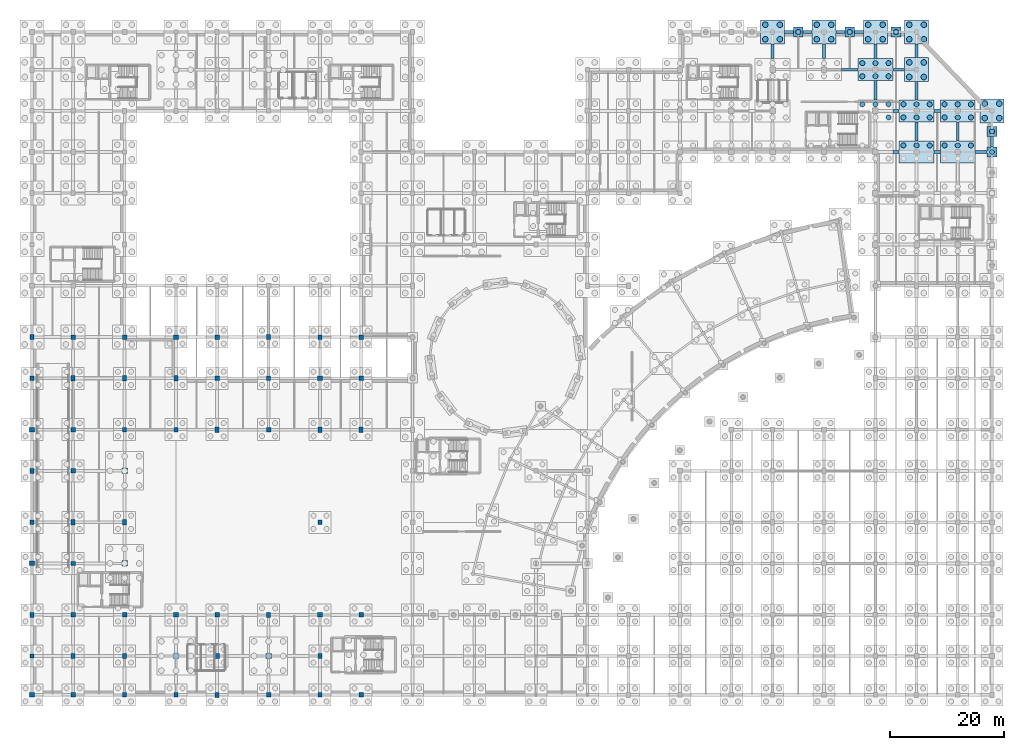
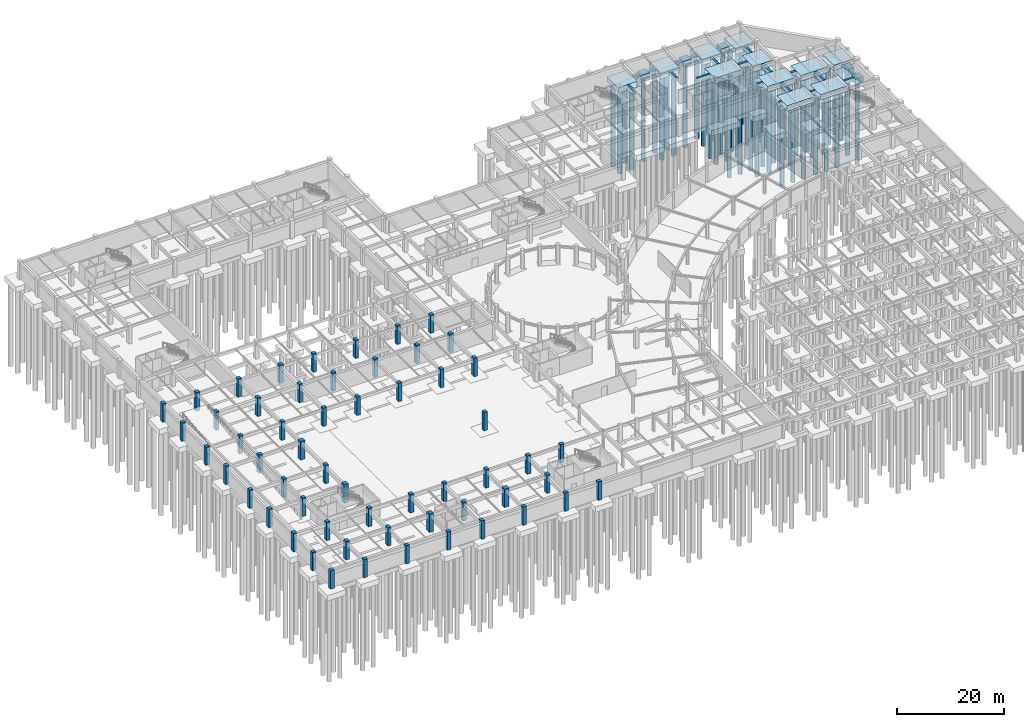
# One storey, part 12 of 42: 57 columns, 57 piles, 36 footings.
"""IFC4 building model written with IfcOpenShell, lengths in metres."""

from ifc_helpers import new_model, si_unit, direction, frame, frame_2d, origin, origin_2d, place, context, subcontext, project, spatial, rectangle, circle, extrude, material, material_profile, profile_set, type_object, element, save


model = new_model("IFC4")

# Units and contexts
model_context = context("Model", 3, precision=1e-05, world=origin(), true_north=direction((0.0, 1.0)))
body_context = subcontext(model_context, "Body", "Model", "MODEL_VIEW")
ifc_project = project(units=[si_unit("LENGTHUNIT", "METRE"), si_unit("AREAUNIT", "SQUARE_METRE"), si_unit("VOLUMEUNIT", "CUBIC_METRE"), si_unit("PLANEANGLEUNIT", "RADIAN"), si_unit("MASSUNIT", "GRAM", prefix="KILO")], contexts=[model_context])

# Site, building, storey
site_placement = place(None, origin())
site = spatial("IfcSite", under=ifc_project, at=site_placement, CompositionType="ELEMENT")
building_placement = place(site_placement, origin())
building = spatial("IfcBuilding", under=site, at=building_placement, Name="Clarverna Civic Hall", CompositionType="ELEMENT")
storey_placement = place(building_placement, frame((0.0, 0.0, -4.199951171875)))
storey = spatial("IfcBuildingStorey", under=building, at=storey_placement, Name="B01", CompositionType="ELEMENT", Elevation=-4.199951171875)

# Footings
ifc_material_1 = material(Name="Concrete C30/37", Category="concrete")
footing_type_1 = type_object("IfcFootingType", Name="FC-03", PredefinedType="PILE_CAP", material=ifc_material_1)
for number, where, z_axis, x_axis, name in (
    (1, (129.60009765625, 116.0, -1.2001953125), (0.0, 0.0, 1.0), (1.0, 0.0, 0.0), "FC-03-062"),
    (2, (138.60009765625, 116.0, -1.2001953125), (0.0, 0.0, 1.0), (1.0, 0.0, 0.0), "FC-03-063"),
    (3, (147.60009765625, 116.0, -1.2001953125), (0.0, 0.0, 1.0), (1.0, 0.0, 0.0), "FC-03-064"),
    (4, (154.800048828125, 109.39990234375, -1.2001953125), (0.0, 0.0, 1.0), (1.0, 0.0, 0.0), "FC-03-066"),
    (5, (154.800048828125, 116.0, -1.2001953125), (0.0, 0.0, 1.0), (1.0, 0.0, 0.0), "FC-03-067"),
    (6, (168.0, 102.199951171875, -1.2001953125), (0.0, 0.0, 1.0), (1.0, 0.0, 0.0), "FC-03-070"),
):
    element("IfcFooting", number, at=place(storey_placement, frame(where, z_axis=z_axis, x_axis=x_axis)), inside=storey, type_object=footing_type_1, Name=name, PredefinedType="PILE_CAP", context=body_context, shape_type="SweptSolid", body=[
        extrude(rectangle(XDim=4.199951171875, YDim=4.199951171875, at=origin_2d()), origin(), (0.0, 0.0, 1.0), 1.199951171875),
    ])
footing_type_2 = type_object("IfcFootingType", Name="FC-04", PredefinedType="PILE_CAP", material=ifc_material_1)
for number, where, z_axis, x_axis, name in (
    (7, (147.60009765625, 109.39990234375, -1.2001953125), (0.0, 0.0, 1.0), (1.0, 0.0, 0.0), "FC-04-015"),
    (8, (154.800048828125, 95.0, -1.2001953125), (0.0, 0.0, 1.0), (1.0, 0.0, 0.0), "FC-04-018"),
    (9, (154.800048828125, 102.199951171875, -1.2001953125), (0.0, 0.0, 1.0), (1.0, 0.0, 0.0), "FC-04-019"),
    (10, (162.0, 95.0, -1.2001953125), (0.0, 0.0, 1.0), (1.0, 0.0, 0.0), "FC-04-022"),
    (11, (162.0, 102.199951171875, -1.2001953125), (0.0, 0.0, 1.0), (1.0, 0.0, 0.0), "FC-04-023"),
):
    element("IfcFooting", number, at=place(storey_placement, frame(where, z_axis=z_axis, x_axis=x_axis)), inside=storey, type_object=footing_type_2, Name=name, PredefinedType="PILE_CAP", context=body_context, shape_type="SweptSolid", body=[
        extrude(rectangle(XDim=6.10009765625, YDim=3.85009765625, at=origin_2d()), origin(), (0.0, 0.0, 1.0), 1.199951171875),
    ])
footing_type_3 = type_object("IfcFootingType", Name="FC-06", PredefinedType="PILE_CAP", material=ifc_material_1)
for number, where, z_axis, x_axis, name in (
    (12, (168.0, 95.0, -1.2001953125), (0.0, 0.0, 1.0), (1.0, 0.0, 0.0), "FC-06-031"),
    (13, (134.10009765625, 116.0, -1.2001953125), (0.0, 0.0, 1.0), (1.0, 0.0, 0.0), "FC-06-034"),
    (14, (143.10009765625, 116.0, -1.2001953125), (0.0, 0.0, 1.0), (1.0, 0.0, 0.0), "FC-06-035"),
    (15, (151.199951171875, 116.0, -1.2001953125), (0.0, 0.0, 1.0), (1.0, 0.0, 0.0), "FC-06-036"),
    (16, (168.0, 98.60009765625, -1.2001953125), (0.0, 0.0, 1.0), (1.0, 0.0, 0.0), "FC-06-040"),
):
    element("IfcFooting", number, at=place(storey_placement, frame(where, z_axis=z_axis, x_axis=x_axis)), inside=storey, type_object=footing_type_3, Name=name, PredefinedType="PILE_CAP", context=body_context, shape_type="SweptSolid", body=[
        extrude(rectangle(XDim=1.699951171875, YDim=1.699951171875, at=origin_2d()), origin(), (0.0, 0.0, 1.0), 1.199951171875),
    ])
footing_type_4 = type_object("IfcFootingType", Name="GB-01", PredefinedType="FOOTING_BEAM", material=ifc_material_1)
footing_1_placement = place(storey_placement, frame((150.64990234375, 95.0, -0.800048828125), z_axis=(0.0, 0.0, 1.0), x_axis=(1.0, 0.0, 0.0)))
element("IfcFooting", 17, at=footing_1_placement, inside=storey, type_object=footing_type_4, Name="GB-01-146", PredefinedType="FOOTING_BEAM", context=body_context, shape_type="SweptSolid", body=[
    extrude(rectangle(XDim=1.10009765625, YDim=0.5, at=frame_2d((0.550048828125, 0.0))), origin(), (0.0, 0.0, 1.0), 0.800048828125),
])
footing_2_placement = place(storey_placement, frame((157.85009765625, 95.0, -0.800048828125), z_axis=(0.0, 0.0, 1.0), x_axis=(1.0, 0.0, 0.0)))
element("IfcFooting", 18, at=footing_2_placement, inside=storey, type_object=footing_type_4, Name="GB-01-147", PredefinedType="FOOTING_BEAM", context=body_context, shape_type="SweptSolid", body=[
    extrude(rectangle(XDim=1.099853515625, YDim=0.5, at=frame_2d((0.5498046875, 0.0))), origin(), (0.0, 0.0, 1.0), 0.800048828125),
])
footing_3_placement = place(storey_placement, frame((165.050048828125, 95.0, -0.800048828125), z_axis=(0.0, 0.0, 1.0), x_axis=(1.0, 0.0, 0.0)))
element("IfcFooting", 19, at=footing_3_placement, inside=storey, type_object=footing_type_4, Name="GB-01-148", PredefinedType="FOOTING_BEAM", context=body_context, shape_type="SweptSolid", body=[
    extrude(rectangle(XDim=2.099853515625, YDim=0.5, at=frame_2d((1.0498046875, 0.0))), origin(), (0.0, 0.0, 1.0), 0.800048828125),
])
footing_4_placement = place(storey_placement, frame((150.64990234375, 102.199951171875, -0.800048828125), z_axis=(0.0, 0.0, 1.0), x_axis=(1.0, 0.0, 0.0)))
element("IfcFooting", 20, at=footing_4_placement, inside=storey, type_object=footing_type_4, Name="GB-01-161", PredefinedType="FOOTING_BEAM", context=body_context, shape_type="SweptSolid", body=[
    extrude(rectangle(XDim=1.10009765625, YDim=0.5, at=frame_2d((0.550048828125, 0.0))), origin(), (0.0, 0.0, 1.0), 0.800048828125),
])
footing_5_placement = place(storey_placement, frame((157.85009765625, 102.199951171875, -0.800048828125), z_axis=(0.0, 0.0, 1.0), x_axis=(1.0, 0.0, 0.0)))
element("IfcFooting", 21, at=footing_5_placement, inside=storey, type_object=footing_type_4, Name="GB-01-162", PredefinedType="FOOTING_BEAM", context=body_context, shape_type="SweptSolid", body=[
    extrude(rectangle(XDim=1.099853515625, YDim=0.5, at=frame_2d((0.5498046875, 0.0))), origin(), (0.0, 0.0, 1.0), 0.800048828125),
])
footing_6_placement = place(storey_placement, frame((141.64990234375, 109.39990234375, -0.800048828125), z_axis=(0.0, 0.0, 1.0), x_axis=(1.0, 0.0, 0.0)))
element("IfcFooting", 22, at=footing_6_placement, inside=storey, type_object=footing_type_4, Name="GB-01-170", PredefinedType="FOOTING_BEAM", context=body_context, shape_type="SweptSolid", body=[
    extrude(rectangle(XDim=2.900146484375, YDim=0.5, at=frame_2d((1.4501953125, 0.0))), origin(), (0.0, 0.0, 1.0), 0.800048828125),
])
footing_7_placement = place(storey_placement, frame((150.64990234375, 109.39990234375, -0.800048828125), z_axis=(0.0, 0.0, 1.0), x_axis=(1.0, 0.0, 0.0)))
element("IfcFooting", 23, at=footing_7_placement, inside=storey, type_object=footing_type_4, Name="GB-01-171", PredefinedType="FOOTING_BEAM", context=body_context, shape_type="SweptSolid", body=[
    extrude(rectangle(XDim=2.050048828125, YDim=0.5, at=frame_2d((1.02490234375, 0.0))), origin(), (0.0, 0.0, 1.0), 0.800048828125),
])
for number, where, z_axis, x_axis, name in (
    (24, (129.60009765625, 111.324951171875, -0.800048828125), (0.0, 0.0, 1.0), (0.0, 1.0, 0.0), "GB-01-296"),
    (25, (138.60009765625, 111.324951171875, -0.800048828125), (0.0, 0.0, 1.0), (0.0, 1.0, 0.0), "GB-01-303"),
):
    element("IfcFooting", number, at=place(storey_placement, frame(where, z_axis=z_axis, x_axis=x_axis)), inside=storey, type_object=footing_type_4, Name=name, PredefinedType="FOOTING_BEAM", context=body_context, shape_type="SweptSolid", body=[
        extrude(rectangle(XDim=2.574951171875, YDim=0.5, at=frame_2d((1.28759765625, 0.0))), origin(), (0.0, 0.0, 1.0), 0.800048828125),
    ])
footing_8_placement = place(storey_placement, frame((147.60009765625, 104.125, -0.800048828125), z_axis=(0.0, 0.0, 1.0), x_axis=(0.0, 1.0, 0.0)))
element("IfcFooting", 26, at=footing_8_placement, inside=storey, type_object=footing_type_4, Name="GB-01-317", PredefinedType="FOOTING_BEAM", context=body_context, shape_type="SweptSolid", body=[
    extrude(rectangle(XDim=3.35009765625, YDim=0.5, at=frame_2d((1.675048828125, 0.0))), origin(), (0.0, 0.0, 1.0), 0.800048828125),
])
footing_9_placement = place(storey_placement, frame((147.60009765625, 111.324951171875, -0.800048828125), z_axis=(0.0, 0.0, 1.0), x_axis=(0.0, 1.0, 0.0)))
element("IfcFooting", 27, at=footing_9_placement, inside=storey, type_object=footing_type_4, Name="GB-01-318", PredefinedType="FOOTING_BEAM", context=body_context, shape_type="SweptSolid", body=[
    extrude(rectangle(XDim=2.574951171875, YDim=0.5, at=frame_2d((1.28759765625, 0.0))), origin(), (0.0, 0.0, 1.0), 0.800048828125),
])
footing_10_placement = place(storey_placement, frame((154.800048828125, 96.925048828125, -0.800048828125), z_axis=(0.0, 0.0, 1.0), x_axis=(0.0, 1.0, 0.0)))
element("IfcFooting", 28, at=footing_10_placement, inside=storey, type_object=footing_type_4, Name="GB-01-331", PredefinedType="FOOTING_BEAM", context=body_context, shape_type="SweptSolid", body=[
    extrude(rectangle(XDim=3.349853515625, YDim=0.5, at=frame_2d((1.6748046875, 0.0))), origin(), (0.0, 0.0, 1.0), 0.800048828125),
])
footing_11_placement = place(storey_placement, frame((154.800048828125, 104.125, -0.800048828125), z_axis=(0.0, 0.0, 1.0), x_axis=(0.0, 1.0, 0.0)))
element("IfcFooting", 29, at=footing_11_placement, inside=storey, type_object=footing_type_4, Name="GB-01-332", PredefinedType="FOOTING_BEAM", context=body_context, shape_type="SweptSolid", body=[
    extrude(rectangle(XDim=3.175048828125, YDim=0.5, at=frame_2d((1.58740234375, 0.0))), origin(), (0.0, 0.0, 1.0), 0.800048828125),
])
footing_12_placement = place(storey_placement, frame((154.800048828125, 111.5, -0.800048828125), z_axis=(0.0, 0.0, 1.0), x_axis=(0.0, 1.0, 0.0)))
element("IfcFooting", 30, at=footing_12_placement, inside=storey, type_object=footing_type_4, Name="GB-01-333", PredefinedType="FOOTING_BEAM", context=body_context, shape_type="SweptSolid", body=[
    extrude(rectangle(XDim=2.39990234375, YDim=0.5, at=frame_2d((1.199951171875, 0.0))), origin(), (0.0, 0.0, 1.0), 0.800048828125),
])
footing_13_placement = place(storey_placement, frame((162.0, 96.925048828125, -0.800048828125), z_axis=(0.0, 0.0, 1.0), x_axis=(0.0, 1.0, 0.0)))
element("IfcFooting", 31, at=footing_13_placement, inside=storey, type_object=footing_type_4, Name="GB-01-346", PredefinedType="FOOTING_BEAM", context=body_context, shape_type="SweptSolid", body=[
    extrude(rectangle(XDim=3.349853515625, YDim=0.5, at=frame_2d((1.6748046875, 0.0))), origin(), (0.0, 0.0, 1.0), 0.800048828125),
])
footing_type_5 = type_object("IfcFootingType", Name="GB-02", PredefinedType="FOOTING_BEAM", material=ifc_material_1)
for number, where, z_axis, x_axis, name in (
    (32, (131.699951171875, 116.0, -0.900146484375), (0.0, 0.0, 1.0), (1.0, 0.0, 0.0), "GB-02-031"),
    (33, (134.949951171875, 116.0, -0.900146484375), (0.0, 0.0, 1.0), (1.0, 0.0, 0.0), "GB-02-032"),
    (34, (140.699951171875, 116.0, -0.900146484375), (0.0, 0.0, 1.0), (1.0, 0.0, 0.0), "GB-02-033"),
    (35, (143.949951171875, 116.0, -0.900146484375), (0.0, 0.0, 1.0), (1.0, 0.0, 0.0), "GB-02-034"),
):
    element("IfcFooting", number, at=place(storey_placement, frame(where, z_axis=z_axis, x_axis=x_axis)), inside=storey, type_object=footing_type_5, Name=name, PredefinedType="FOOTING_BEAM", context=body_context, shape_type="SweptSolid", body=[
        extrude(rectangle(XDim=1.550048828125, YDim=0.60009765625, at=frame_2d((0.77490234375, 0.0))), origin(), (0.0, 0.0, 1.0), 0.900146484375),
    ])
footing_14_placement = place(storey_placement, frame((168.0, 95.85009765625, -0.900146484375), z_axis=(0.0, 0.0, 1.0), x_axis=(0.0, 1.0, 0.0)))
element("IfcFooting", 36, at=footing_14_placement, inside=storey, type_object=footing_type_5, Name="GB-02-064", PredefinedType="FOOTING_BEAM", context=body_context, shape_type="SweptSolid", body=[
    extrude(rectangle(XDim=1.89990234375, YDim=0.60009765625, at=frame_2d((0.949951171875, 0.0))), origin(), (0.0, 0.0, 1.0), 0.900146484375),
])

# Piles
ifc_material_profile_1 = material_profile(ifc_material_1, circle(Radius=0.449951171875, at=origin_2d()), Name="BORED PILE D900")
ifc_profile_set_1 = profile_set([ifc_material_profile_1], Name="Concrete C30/37")
pile_type_1 = type_object("IfcPileType", Name="PL-01", PredefinedType="BORED", material=ifc_profile_set_1)
for number, where, z_axis, x_axis, name in (
    (37, (149.89990234375, 101.050048828125, -1.10009765625), (0.0, 0.0, -1.0), (1.0, 0.0, 0.0), "PL-01-661"),
    (38, (145.300048828125, 103.35009765625, -1.10009765625), (0.0, 0.0, -1.0), (1.0, 0.0, 0.0), "PL-01-662"),
    (39, (147.60009765625, 103.35009765625, -1.10009765625), (0.0, 0.0, -1.0), (1.0, 0.0, 0.0), "PL-01-663"),
    (40, (149.89990234375, 103.35009765625, -1.10009765625), (0.0, 0.0, -1.0), (1.0, 0.0, 0.0), "PL-01-664"),
    (41, (145.300048828125, 108.25, -1.10009765625), (0.0, 0.0, -1.0), (1.0, 0.0, 0.0), "PL-01-665"),
    (42, (147.60009765625, 108.25, -1.10009765625), (0.0, 0.0, -1.0), (1.0, 0.0, 0.0), "PL-01-666"),
    (43, (149.89990234375, 108.25, -1.10009765625), (0.0, 0.0, -1.0), (1.0, 0.0, 0.0), "PL-01-667"),
    (44, (145.300048828125, 110.550048828125, -1.10009765625), (0.0, 0.0, -1.0), (1.0, 0.0, 0.0), "PL-01-668"),
    (45, (147.60009765625, 110.550048828125, -1.10009765625), (0.0, 0.0, -1.0), (1.0, 0.0, 0.0), "PL-01-669"),
    (46, (149.89990234375, 110.550048828125, -1.10009765625), (0.0, 0.0, -1.0), (1.0, 0.0, 0.0), "PL-01-670"),
    (47, (152.5, 96.14990234375, -1.10009765625), (0.0, 0.0, -1.0), (1.0, 0.0, 0.0), "PL-01-722"),
    (48, (154.800048828125, 96.14990234375, -1.10009765625), (0.0, 0.0, -1.0), (1.0, 0.0, 0.0), "PL-01-723"),
    (49, (157.10009765625, 96.14990234375, -1.10009765625), (0.0, 0.0, -1.0), (1.0, 0.0, 0.0), "PL-01-724"),
    (50, (152.5, 101.050048828125, -1.10009765625), (0.0, 0.0, -1.0), (1.0, 0.0, 0.0), "PL-01-725"),
    (51, (154.800048828125, 101.050048828125, -1.10009765625), (0.0, 0.0, -1.0), (1.0, 0.0, 0.0), "PL-01-726"),
    (52, (157.10009765625, 101.050048828125, -1.10009765625), (0.0, 0.0, -1.0), (1.0, 0.0, 0.0), "PL-01-727"),
    (53, (152.5, 103.35009765625, -1.10009765625), (0.0, 0.0, -1.0), (1.0, 0.0, 0.0), "PL-01-728"),
    (54, (154.800048828125, 103.35009765625, -1.10009765625), (0.0, 0.0, -1.0), (1.0, 0.0, 0.0), "PL-01-729"),
    (55, (157.10009765625, 103.35009765625, -1.10009765625), (0.0, 0.0, -1.0), (1.0, 0.0, 0.0), "PL-01-730"),
    (56, (159.699951171875, 96.14990234375, -1.10009765625), (0.0, 0.0, -1.0), (1.0, 0.0, 0.0), "PL-01-782"),
    (57, (162.0, 96.14990234375, -1.10009765625), (0.0, 0.0, -1.0), (1.0, 0.0, 0.0), "PL-01-783"),
    (58, (164.300048828125, 96.14990234375, -1.10009765625), (0.0, 0.0, -1.0), (1.0, 0.0, 0.0), "PL-01-784"),
    (59, (159.699951171875, 101.050048828125, -1.10009765625), (0.0, 0.0, -1.0), (1.0, 0.0, 0.0), "PL-01-785"),
    (60, (162.0, 101.050048828125, -1.10009765625), (0.0, 0.0, -1.0), (1.0, 0.0, 0.0), "PL-01-786"),
    (61, (164.300048828125, 101.050048828125, -1.10009765625), (0.0, 0.0, -1.0), (1.0, 0.0, 0.0), "PL-01-787"),
    (62, (159.699951171875, 103.35009765625, -1.10009765625), (0.0, 0.0, -1.0), (1.0, 0.0, 0.0), "PL-01-788"),
    (63, (162.0, 103.35009765625, -1.10009765625), (0.0, 0.0, -1.0), (1.0, 0.0, 0.0), "PL-01-789"),
    (64, (164.300048828125, 103.35009765625, -1.10009765625), (0.0, 0.0, -1.0), (1.0, 0.0, 0.0), "PL-01-790"),
    (65, (168.0, 95.0, -1.10009765625), (0.0, 0.0, -1.0), (1.0, 0.0, 0.0), "PL-01-829"),
    (66, (134.10009765625, 116.0, -1.10009765625), (0.0, 0.0, -1.0), (1.0, 0.0, 0.0), "PL-01-832"),
    (67, (143.10009765625, 116.0, -1.10009765625), (0.0, 0.0, -1.0), (1.0, 0.0, 0.0), "PL-01-833"),
    (68, (151.199951171875, 116.0, -1.10009765625), (0.0, 0.0, -1.0), (1.0, 0.0, 0.0), "PL-01-834"),
    (69, (168.0, 98.60009765625, -1.10009765625), (0.0, 0.0, -1.0), (1.0, 0.0, 0.0), "PL-01-838"),
):
    element("IfcPile", number, at=place(storey_placement, frame(where, z_axis=z_axis, x_axis=x_axis)), inside=storey, type_object=pile_type_1, Name=name, PredefinedType="BORED", context=body_context, shape_type="SweptSolid", body=[
        extrude(circle(Radius=0.449951171875, at=origin_2d()), origin(), (0.0, 0.0, 1.0), 19.0),
    ])
ifc_material_profile_2 = material_profile(ifc_material_1, circle(Radius=0.5, at=origin_2d()), Name="BORED PILE D1000")
ifc_profile_set_2 = profile_set([ifc_material_profile_2], Name="Concrete C30/37")
pile_type_2 = type_object("IfcPileType", Name="PL-02", PredefinedType="BORED", material=ifc_profile_set_2)
for number, where, z_axis, x_axis, name in (
    (70, (128.324951171875, 114.72509765625, -1.10009765625), (0.0, 0.0, -1.0), (1.0, 0.0, 0.0), "PL-02-299"),
    (71, (130.875, 114.72509765625, -1.10009765625), (0.0, 0.0, -1.0), (1.0, 0.0, 0.0), "PL-02-300"),
    (72, (128.324951171875, 117.27490234375, -1.10009765625), (0.0, 0.0, -1.0), (1.0, 0.0, 0.0), "PL-02-301"),
    (73, (130.875, 117.27490234375, -1.10009765625), (0.0, 0.0, -1.0), (1.0, 0.0, 0.0), "PL-02-302"),
    (74, (137.324951171875, 114.72509765625, -1.10009765625), (0.0, 0.0, -1.0), (1.0, 0.0, 0.0), "PL-02-303"),
    (75, (139.875, 114.72509765625, -1.10009765625), (0.0, 0.0, -1.0), (1.0, 0.0, 0.0), "PL-02-304"),
    (76, (137.324951171875, 117.27490234375, -1.10009765625), (0.0, 0.0, -1.0), (1.0, 0.0, 0.0), "PL-02-305"),
    (77, (139.875, 117.27490234375, -1.10009765625), (0.0, 0.0, -1.0), (1.0, 0.0, 0.0), "PL-02-306"),
    (78, (146.324951171875, 114.72509765625, -1.10009765625), (0.0, 0.0, -1.0), (1.0, 0.0, 0.0), "PL-02-307"),
    (79, (148.875, 114.72509765625, -1.10009765625), (0.0, 0.0, -1.0), (1.0, 0.0, 0.0), "PL-02-308"),
    (80, (146.324951171875, 117.27490234375, -1.10009765625), (0.0, 0.0, -1.0), (1.0, 0.0, 0.0), "PL-02-309"),
    (81, (148.875, 117.27490234375, -1.10009765625), (0.0, 0.0, -1.0), (1.0, 0.0, 0.0), "PL-02-310"),
    (82, (153.52490234375, 108.125, -1.10009765625), (0.0, 0.0, -1.0), (1.0, 0.0, 0.0), "PL-02-315"),
    (83, (156.074951171875, 108.125, -1.10009765625), (0.0, 0.0, -1.0), (1.0, 0.0, 0.0), "PL-02-316"),
    (84, (153.52490234375, 110.675048828125, -1.10009765625), (0.0, 0.0, -1.0), (1.0, 0.0, 0.0), "PL-02-317"),
    (85, (156.074951171875, 110.675048828125, -1.10009765625), (0.0, 0.0, -1.0), (1.0, 0.0, 0.0), "PL-02-318"),
    (86, (153.52490234375, 114.72509765625, -1.10009765625), (0.0, 0.0, -1.0), (1.0, 0.0, 0.0), "PL-02-319"),
    (87, (156.074951171875, 114.72509765625, -1.10009765625), (0.0, 0.0, -1.0), (1.0, 0.0, 0.0), "PL-02-320"),
    (88, (153.52490234375, 117.27490234375, -1.10009765625), (0.0, 0.0, -1.0), (1.0, 0.0, 0.0), "PL-02-321"),
    (89, (156.074951171875, 117.27490234375, -1.10009765625), (0.0, 0.0, -1.0), (1.0, 0.0, 0.0), "PL-02-322"),
    (90, (166.72509765625, 100.925048828125, -1.10009765625), (0.0, 0.0, -1.0), (1.0, 0.0, 0.0), "PL-02-331"),
    (91, (169.27490234375, 100.925048828125, -1.10009765625), (0.0, 0.0, -1.0), (1.0, 0.0, 0.0), "PL-02-332"),
    (92, (166.72509765625, 103.47509765625, -1.10009765625), (0.0, 0.0, -1.0), (1.0, 0.0, 0.0), "PL-02-333"),
    (93, (169.27490234375, 103.47509765625, -1.10009765625), (0.0, 0.0, -1.0), (1.0, 0.0, 0.0), "PL-02-334"),
):
    element("IfcPile", number, at=place(storey_placement, frame(where, z_axis=z_axis, x_axis=x_axis)), inside=storey, type_object=pile_type_2, Name=name, PredefinedType="BORED", context=body_context, shape_type="SweptSolid", body=[
        extrude(circle(Radius=0.5, at=origin_2d()), origin(), (0.0, 0.0, 1.0), 19.0),
    ])

# Columns
ifc_material_2 = material(Name="Concrete C40/50", Category="concrete")
ifc_material_profile_3 = material_profile(ifc_material_2, rectangle(XDim=0.949951171875, YDim=0.949951171875, at=origin_2d()), Name="RC 950x950")
ifc_profile_set_3 = profile_set([ifc_material_profile_3], Name="Concrete C40/50")
column_type_1 = type_object("IfcColumnType", Name="C-RC1", PredefinedType="COLUMN", material=ifc_profile_set_3)
for number, where, z_axis, x_axis, name in (
    (94, (16.199951171875, 23.0, 0.0), (0.0, 0.0, 1.0), (1.0, 0.0, 0.0), "C-RC1-001"),
    (95, (16.199951171875, 39.199951171875, 0.0), (0.0, 0.0, 1.0), (1.0, 0.0, 0.0), "C-RC1-002"),
    (96, (25.199951171875, 6.800048828125, 0.0), (0.0, 0.0, 1.0), (1.0, 0.0, 0.0), "C-RC1-003"),
    (97, (41.39990234375, 6.800048828125, 0.0), (0.0, 0.0, 1.0), (1.0, 0.0, 0.0), "C-RC1-005"),
):
    element("IfcColumn", number, at=place(storey_placement, frame(where, z_axis=z_axis, x_axis=x_axis)), inside=storey, type_object=column_type_1, Name=name, PredefinedType="COLUMN", context=body_context, shape_type="SweptSolid", body=[
        extrude(rectangle(XDim=0.949951171875, YDim=0.949951171875, at=origin_2d()), origin(), (0.0, 0.0, 1.0), 4.199951171875),
    ])
ifc_material_profile_4 = material_profile(ifc_material_2, rectangle(XDim=0.800048828125, YDim=0.800048828125, at=origin_2d()), Name="RC 800x800")
ifc_profile_set_4 = profile_set([ifc_material_profile_4], Name="Concrete C40/50")
column_type_2 = type_object("IfcColumnType", Name="C-RC4", PredefinedType="COLUMN", material=ifc_profile_set_4)
for number, where, z_axis, x_axis, name in (
    (98, (0.0, 0.0, 0.0), (0.0, 0.0, 1.0), (1.0, 0.0, 0.0), "C-RC4-001"),
    (99, (0.0, 23.0, 0.0), (0.0, 0.0, 1.0), (1.0, 0.0, 0.0), "C-RC4-002"),
    (100, (0.0, 46.39990234375, 0.0), (0.0, 0.0, 1.0), (1.0, 0.0, 0.0), "C-RC4-003"),
    (101, (7.199951171875, 14.0, 0.0), (0.0, 0.0, 1.0), (1.0, 0.0, 0.0), "C-RC4-007"),
    (102, (7.199951171875, 39.199951171875, 0.0), (0.0, 0.0, 1.0), (1.0, 0.0, 0.0), "C-RC4-008"),
    (103, (7.199951171875, 62.60009765625, 0.0), (0.0, 0.0, 1.0), (1.0, 0.0, 0.0), "C-RC4-009"),
    (104, (16.199951171875, 14.0, 0.0), (0.0, 0.0, 1.0), (1.0, 0.0, 0.0), "C-RC4-012"),
    (105, (16.199951171875, 62.60009765625, 0.0), (0.0, 0.0, 1.0), (1.0, 0.0, 0.0), "C-RC4-015"),
    (106, (25.199951171875, 14.0, 0.0), (0.0, 0.0, 1.0), (1.0, 0.0, 0.0), "C-RC4-019"),
    (107, (25.199951171875, 62.60009765625, 0.0), (0.0, 0.0, 1.0), (1.0, 0.0, 0.0), "C-RC4-020"),
    (108, (32.39990234375, 6.800048828125, 0.0), (0.0, 0.0, 1.0), (1.0, 0.0, 0.0), "C-RC4-022"),
    (109, (32.39990234375, 55.39990234375, 0.0), (0.0, 0.0, 1.0), (1.0, 0.0, 0.0), "C-RC4-023"),
    (110, (41.39990234375, 0.0, 0.0), (0.0, 0.0, 1.0), (1.0, 0.0, 0.0), "C-RC4-025"),
    (111, (41.39990234375, 46.39990234375, 0.0), (0.0, 0.0, 1.0), (1.0, 0.0, 0.0), "C-RC4-027"),
    (112, (50.39990234375, 14.0, 0.0), (0.0, 0.0, 1.0), (1.0, 0.0, 0.0), "C-RC4-031"),
    (113, (50.39990234375, 55.39990234375, 0.0), (0.0, 0.0, 1.0), (1.0, 0.0, 0.0), "C-RC4-032"),
    (114, (57.60009765625, 0.0, 0.0), (0.0, 0.0, 1.0), (1.0, 0.0, 0.0), "C-RC4-034"),
    (115, (57.60009765625, 55.39990234375, 0.0), (0.0, 0.0, 1.0), (1.0, 0.0, 0.0), "C-RC4-035"),
):
    element("IfcColumn", number, at=place(storey_placement, frame(where, z_axis=z_axis, x_axis=x_axis)), inside=storey, type_object=column_type_2, Name=name, PredefinedType="COLUMN", context=body_context, shape_type="SweptSolid", body=[
        extrude(rectangle(XDim=0.800048828125, YDim=0.800048828125, at=origin_2d()), origin(), (0.0, 0.0, 1.0), 4.199951171875),
    ])
ifc_material_profile_5 = material_profile(ifc_material_2, rectangle(XDim=0.75, YDim=0.75, at=origin_2d()), Name="RC 750x750")
ifc_profile_set_5 = profile_set([ifc_material_profile_5], Name="Concrete C40/50")
column_type_3 = type_object("IfcColumnType", Name="C-RC5", PredefinedType="COLUMN", material=ifc_profile_set_5)
for number, where, z_axis, x_axis, name in (
    (116, (0.0, 6.800048828125, 0.0), (0.0, 0.0, 1.0), (1.0, 0.0, 0.0), "C-RC5-001"),
    (117, (0.0, 30.199951171875, 0.0), (0.0, 0.0, 1.0), (1.0, 0.0, 0.0), "C-RC5-002"),
    (118, (0.0, 55.39990234375, 0.0), (0.0, 0.0, 1.0), (1.0, 0.0, 0.0), "C-RC5-003"),
    (119, (7.199951171875, 0.0, 0.0), (0.0, 0.0, 1.0), (1.0, 0.0, 0.0), "C-RC5-006"),
    (120, (7.199951171875, 23.0, 0.0), (0.0, 0.0, 1.0), (1.0, 0.0, 0.0), "C-RC5-007"),
    (121, (7.199951171875, 46.39990234375, 0.0), (0.0, 0.0, 1.0), (1.0, 0.0, 0.0), "C-RC5-008"),
    (122, (16.199951171875, 0.0, 0.0), (0.0, 0.0, 1.0), (1.0, 0.0, 0.0), "C-RC5-011"),
    (123, (16.199951171875, 46.39990234375, 0.0), (0.0, 0.0, 1.0), (1.0, 0.0, 0.0), "C-RC5-014"),
    (124, (25.199951171875, 0.0, 0.0), (0.0, 0.0, 1.0), (1.0, 0.0, 0.0), "C-RC5-017"),
    (125, (25.199951171875, 46.39990234375, 0.0), (0.0, 0.0, 1.0), (1.0, 0.0, 0.0), "C-RC5-019"),
    (126, (32.39990234375, 14.0, 0.0), (0.0, 0.0, 1.0), (1.0, 0.0, 0.0), "C-RC5-023"),
    (127, (32.39990234375, 62.60009765625, 0.0), (0.0, 0.0, 1.0), (1.0, 0.0, 0.0), "C-RC5-024"),
    (128, (41.39990234375, 55.39990234375, 0.0), (0.0, 0.0, 1.0), (1.0, 0.0, 0.0), "C-RC5-027"),
    (129, (50.39990234375, 0.0, 0.0), (0.0, 0.0, 1.0), (1.0, 0.0, 0.0), "C-RC5-030"),
    (130, (50.39990234375, 30.199951171875, 0.0), (0.0, 0.0, 1.0), (1.0, 0.0, 0.0), "C-RC5-031"),
    (131, (50.39990234375, 62.60009765625, 0.0), (0.0, 0.0, 1.0), (1.0, 0.0, 0.0), "C-RC5-032"),
    (132, (57.60009765625, 14.0, 0.0), (0.0, 0.0, 1.0), (1.0, 0.0, 0.0), "C-RC5-034"),
    (133, (57.60009765625, 62.60009765625, 0.0), (0.0, 0.0, 1.0), (1.0, 0.0, 0.0), "C-RC5-035"),
):
    element("IfcColumn", number, at=place(storey_placement, frame(where, z_axis=z_axis, x_axis=x_axis)), inside=storey, type_object=column_type_3, Name=name, PredefinedType="COLUMN", context=body_context, shape_type="SweptSolid", body=[
        extrude(rectangle(XDim=0.75, YDim=0.75, at=origin_2d()), origin(), (0.0, 0.0, 1.0), 4.199951171875),
    ])
ifc_material_profile_6 = material_profile(ifc_material_2, rectangle(XDim=0.699951171875, YDim=0.89990234375, at=origin_2d()), Name="RC 700x900")
ifc_profile_set_6 = profile_set([ifc_material_profile_6], Name="Concrete C40/50")
column_type_4 = type_object("IfcColumnType", Name="C-RC6", PredefinedType="COLUMN", material=ifc_profile_set_6)
for number, where, z_axis, x_axis, name in (
    (134, (0.0, 14.0, 0.0), (0.0, 0.0, 1.0), (1.0, 0.0, 0.0), "C-RC6-002"),
    (135, (0.0, 39.199951171875, 0.0), (0.0, 0.0, 1.0), (1.0, 0.0, 0.0), "C-RC6-004"),
    (136, (0.0, 62.60009765625, 0.0), (0.0, 0.0, 1.0), (1.0, 0.0, 0.0), "C-RC6-006"),
    (137, (7.199951171875, 6.800048828125, 0.0), (0.0, 0.0, 1.0), (1.0, 0.0, 0.0), "C-RC6-012"),
    (138, (7.199951171875, 30.199951171875, 0.0), (0.0, 0.0, 1.0), (1.0, 0.0, 0.0), "C-RC6-014"),
    (139, (7.199951171875, 55.39990234375, 0.0), (0.0, 0.0, 1.0), (1.0, 0.0, 0.0), "C-RC6-016"),
    (140, (16.199951171875, 6.800048828125, 0.0), (0.0, 0.0, 1.0), (1.0, 0.0, 0.0), "C-RC6-022"),
    (141, (16.199951171875, 30.199951171875, 0.0), (0.0, 0.0, 1.0), (1.0, 0.0, 0.0), "C-RC6-024"),
    (142, (16.199951171875, 55.39990234375, 0.0), (0.0, 0.0, 1.0), (1.0, 0.0, 0.0), "C-RC6-025"),
    (143, (25.199951171875, 55.39990234375, 0.0), (0.0, 0.0, 1.0), (1.0, 0.0, 0.0), "C-RC6-032"),
    (144, (32.39990234375, 0.0, 0.0), (0.0, 0.0, 1.0), (1.0, 0.0, 0.0), "C-RC6-035"),
    (145, (32.39990234375, 46.39990234375, 0.0), (0.0, 0.0, 1.0), (1.0, 0.0, 0.0), "C-RC6-036"),
    (146, (41.39990234375, 14.0, 0.0), (0.0, 0.0, 1.0), (1.0, 0.0, 0.0), "C-RC6-042"),
    (147, (41.39990234375, 62.60009765625, 0.0), (0.0, 0.0, 1.0), (1.0, 0.0, 0.0), "C-RC6-044"),
    (148, (50.39990234375, 6.800048828125, 0.0), (0.0, 0.0, 1.0), (1.0, 0.0, 0.0), "C-RC6-047"),
    (149, (50.39990234375, 46.39990234375, 0.0), (0.0, 0.0, 1.0), (1.0, 0.0, 0.0), "C-RC6-049"),
    (150, (57.60009765625, 46.39990234375, 0.0), (0.0, 0.0, 1.0), (1.0, 0.0, 0.0), "C-RC6-055"),
):
    element("IfcColumn", number, at=place(storey_placement, frame(where, z_axis=z_axis, x_axis=x_axis)), inside=storey, type_object=column_type_4, Name=name, PredefinedType="COLUMN", context=body_context, shape_type="SweptSolid", body=[
        extrude(rectangle(XDim=0.699951171875, YDim=0.89990234375, at=origin_2d()), origin(), (0.0, 0.0, 1.0), 4.199951171875),
    ])

save(model, "model.ifc")
